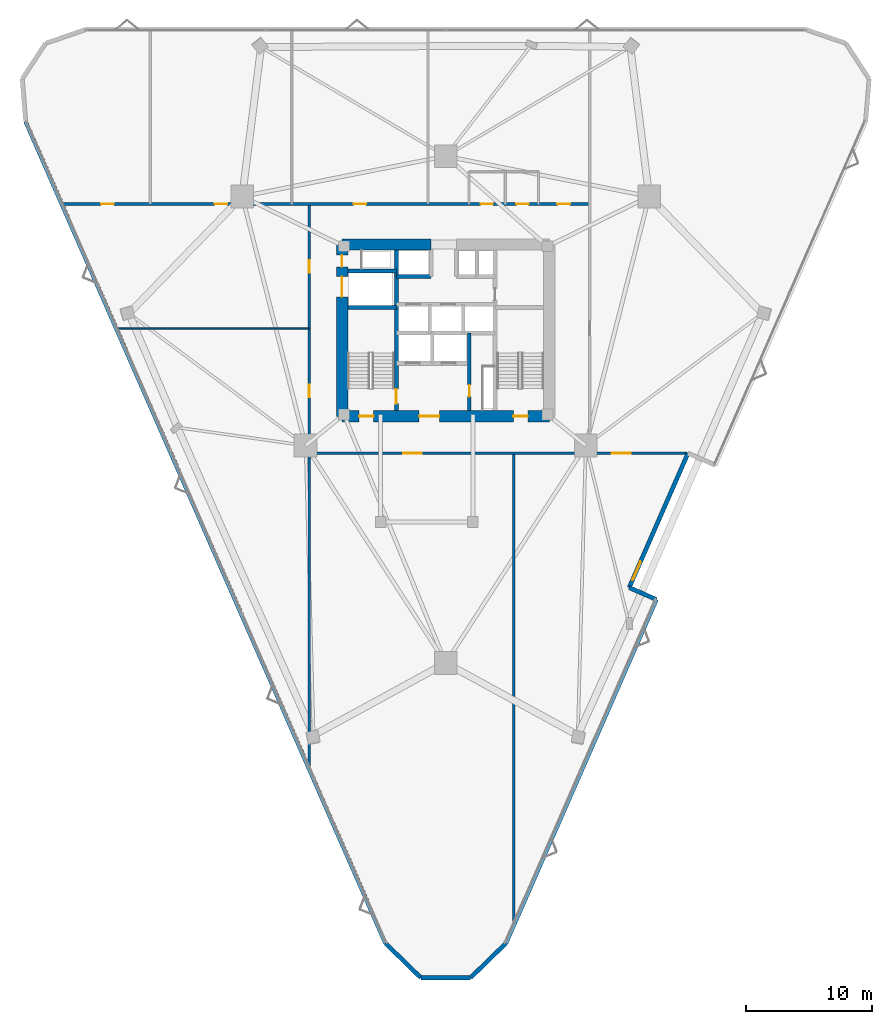
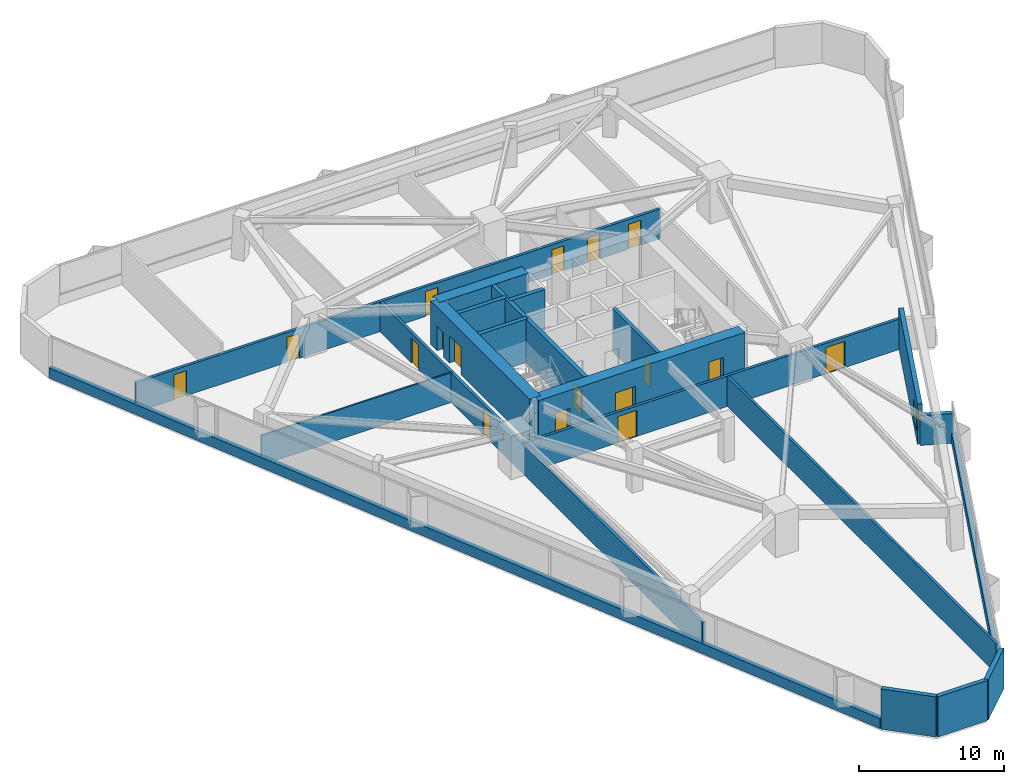
# One storey, part 12 of 14: 20 walls, 17 doors, 1 window, 18 openings.
"""IFC4 building model written with IfcOpenShell, lengths in metres."""

from ifc_helpers import new_model, si_unit, direction, frame, frame_2d, origin, place, context, subcontext, project, spatial, rectangle, extrude, material, layer, layer_set, type_object, element, fill, save


model = new_model("IFC4")

# Units and contexts
model_context = context("Model", 3, precision=1e-05, world=origin(), true_north=direction((0.0, 1.0)))
body_context = subcontext(model_context, "Body", "Model", "MODEL_VIEW")
ifc_project = project(units=[si_unit("LENGTHUNIT", "METRE"), si_unit("AREAUNIT", "SQUARE_METRE"), si_unit("VOLUMEUNIT", "CUBIC_METRE"), si_unit("PLANEANGLEUNIT", "RADIAN"), si_unit("MASSUNIT", "GRAM", prefix="KILO")], contexts=[model_context])

# Site, building, storey
site_placement = place(None, origin())
site = spatial("IfcSite", under=ifc_project, at=site_placement, CompositionType="ELEMENT")
building_placement = place(site_placement, origin())
building = spatial("IfcBuilding", under=site, at=building_placement, Name="Talyreon Biosciences Tower", CompositionType="ELEMENT")
storey_placement = place(building_placement, frame((0.0, 0.0, 52.0)))
storey = spatial("IfcBuildingStorey", under=building, at=storey_placement, Name="L13", CompositionType="ELEMENT", Elevation=52.0)

# Wall
ifc_material_1 = material(Name="Gypsum fireboard acoustic stud", Category="gypsum")
ifc_layer_1 = layer(ifc_material_1, 0.199951171875)
ifc_layer_set_1 = layer_set([ifc_layer_1], Name="Gypsum fireboard acoustic stud")
wall_type_1 = type_object("IfcWallType", Name="ChemControlPartition_200", PredefinedType="PARTITIONING", material=ifc_layer_set_1)
wall_1_placement = place(storey_placement, frame((71.39794921875, 21.1513671875, 0.0), z_axis=(0.0, 0.0, 1.0), x_axis=(0.0, 1.0, 0.0)))
element("IfcWall", 1, at=wall_1_placement, inside=storey, type_object=wall_type_1, Name="L13 Interior Wall IW-L13-SDIV1", PredefinedType="PARTITIONING", context=body_context, shape_type="SweptSolid", body=[
    extrude(rectangle(XDim=37.128662109375, YDim=0.199951171875, at=frame_2d((18.564453125, 0.0))), origin(), (0.0, 0.0, 1.0), 2.5048828125),
])

# Wall, opening, door
ifc_material_2 = material(Name="Concrete C50/60", Category="concrete")
ifc_layer_2 = layer(ifc_material_2, 0.280029296875)
ifc_layer_set_2 = layer_set([ifc_layer_2], Name="Concrete C50/60")
wall_type_2 = type_object("IfcWallType", Name="CoreShearWall_280", PredefinedType="SHEAR", material=ifc_layer_set_2)
wall_2_placement = place(storey_placement, frame((67.8798828125, 61.64990234375, 0.0), z_axis=(0.0, 0.0, 1.0), x_axis=(0.0, 1.0, 0.0)))
wall_2 = element("IfcWall", 2, at=wall_2_placement, inside=storey, type_object=wall_type_2, Name="L13 Core Shaft Wall SWFFE", PredefinedType="SHEAR", context=body_context, shape_type="SweptSolid", body=[
    extrude(rectangle(XDim=6.150146484375, YDim=0.280029296875, at=frame_2d((3.0751953125, 0.0))), origin(), (0.0, 0.0, 1.0), 3.64990234375),
])
opening_1_placement = place(wall_2_placement, frame((1.10009765625, 0.0, 0.0)))
opening_1 = element("IfcOpeningElement", 3, at=opening_1_placement, cuts=wall_2, Name="Opening DR-L13-RSE", PredefinedType="OPENING", context=body_context, shape_type="SweptSolid", body=[
    extrude(rectangle(XDim=0.919921875, YDim=2.050048828125, at=frame_2d((0.4599609375, 1.02490234375))), frame((0.0, 0.14990234375, 0.0), z_axis=(0.0, -1.0, 0.0), x_axis=(1.0, 0.0, 0.0)), (0.0, 0.0, 1.0), 0.300048828125),
])
ifc_material_3 = material(Name="Painted steel fire-rated riser door", Category="steel")
door_type_1 = type_object("IfcDoorType", Name="RiserPlantAccessDoor_920x2050", OperationType="NOTDEFINED", PredefinedType="DOOR", material=ifc_material_3)
door_1_placement = place(opening_1_placement, origin())
door_1 = element("IfcDoor", 4, at=door_1_placement, inside=storey, type_object=door_type_1, Name="L13 Core Door DR-L13-RSE", OperationType="SINGLE_SWING_RIGHT", OverallHeight=2.050048828125, OverallWidth=0.919921875, PredefinedType="DOOR", context=body_context, shape_type="SweptSolid", body=[
    extrude(rectangle(XDim=0.919921875, YDim=2.050048828125, at=frame_2d((0.4599609375, 1.02490234375))), frame((0.0, 0.02490234375, 0.0), z_axis=(0.0, -1.0, 0.0), x_axis=(1.0, 0.0, 0.0)), (0.0, 0.0, 1.0), 0.050048828125),
])
fill(opening_1, door_1)

ifc_layer_3 = layer(ifc_material_2, 0.320068359375)
ifc_layer_set_3 = layer_set([ifc_layer_3], Name="Concrete C50/60")
wall_type_3 = type_object("IfcWallType", Name="CoreShearWall_320", PredefinedType="SHEAR", material=ifc_layer_set_3)
wall_3_placement = place(storey_placement, frame((62.090087890625, 61.64990234375, 0.0), z_axis=(0.0, 0.0, 1.0), x_axis=(0.0, 1.0, 0.0)))
wall_3 = element("IfcWall", 5, at=wall_3_placement, inside=storey, type_object=wall_type_3, Name="L13 Core Shaft Wall SW1E", PredefinedType="SHEAR", context=body_context, shape_type="SweptSolid", body=[
    extrude(rectangle(XDim=12.7001953125, YDim=0.320068359375, at=frame_2d((6.35009765625, 0.0))), origin(), (0.0, 0.0, 1.0), 3.64990234375),
])
opening_2_placement = place(wall_3_placement, frame((0.550048828125, 0.0, 0.0)))
opening_2 = element("IfcOpeningElement", 6, at=opening_2_placement, cuts=wall_3, Name="Opening DR-L13-FF-ST1", PredefinedType="OPENING", context=body_context, shape_type="SweptSolid", body=[
    extrude(rectangle(XDim=1.14990234375, YDim=2.14990234375, at=frame_2d((0.574951171875, 1.074951171875))), frame((0.0, 0.169921875, 0.0), z_axis=(0.0, -1.0, 0.0), x_axis=(1.0, 0.0, 0.0)), (0.0, 0.0, 1.0), 0.340087890625),
])
ifc_material_4 = material(Name="Painted steel fire door", Category="steel")
door_type_2 = type_object("IfcDoorType", Name="StairShaftFireDoor_1150x2150", OperationType="NOTDEFINED", PredefinedType="DOOR", material=ifc_material_4)
door_2_placement = place(opening_2_placement, origin())
door_2 = element("IfcDoor", 7, at=door_2_placement, inside=storey, type_object=door_type_2, Name="L13 Core Door DR-L13-FF-ST1", OperationType="SINGLE_SWING_LEFT", OverallHeight=2.14990234375, OverallWidth=1.14990234375, PredefinedType="DOOR", context=body_context, shape_type="SweptSolid", body=[
    extrude(rectangle(XDim=1.14990234375, YDim=2.14990234375, at=frame_2d((0.574951171875, 1.074951171875))), frame((0.0, 0.02490234375, 0.0), z_axis=(0.0, -1.0, 0.0), x_axis=(1.0, 0.0, 0.0)), (0.0, 0.0, 1.0), 0.050048828125),
])
fill(opening_2, door_2)

# Walls
for number, where, z_axis, x_axis, name in (
    (8, (58.25, 69.81005859375, 0.0), (0.0, 0.0, 1.0), (1.0, 0.0, 0.0), "L13 Core Shaft Wall SW1N"),
    (9, (58.25, 72.699951171875, 0.0), (0.0, 0.0, 1.0), (1.0, 0.0, 0.0), "L13 Core Shaft Wall SWGLN"),
):
    element("IfcWall", number, at=place(storey_placement, frame(where, z_axis=z_axis, x_axis=x_axis)), inside=storey, type_object=wall_type_3, Name=name, PredefinedType="SHEAR", context=body_context, shape_type="SweptSolid", body=[
        extrude(rectangle(XDim=3.840087890625, YDim=0.320068359375, at=frame_2d((1.919921875, 0.0))), origin(), (0.0, 0.0, 1.0), 3.64990234375),
    ])
wall_4_placement = place(storey_placement, frame((62.090087890625, 72.25, 0.0), z_axis=(0.0, 0.0, 1.0), x_axis=(1.0, 0.0, 0.0)))
element("IfcWall", 10, at=wall_4_placement, inside=storey, type_object=wall_type_3, Name="L13 Core Shaft Wall SWNPW", PredefinedType="SHEAR", context=body_context, shape_type="SweptSolid", body=[
    extrude(rectangle(XDim=2.760009765625, YDim=0.320068359375, at=frame_2d((1.3798828125, 0.0))), origin(), (0.0, 0.0, 1.0), 3.64990234375),
])

# Wall, openings, doors
ifc_material_5 = material(Name="Concrete C60/75", Category="concrete")
ifc_layer_4 = layer(ifc_material_5, 0.89990234375)
ifc_layer_set_4 = layer_set([ifc_layer_4], Name="Concrete C60/75")
wall_type_4 = type_object("IfcWallType", Name="CoreShearWall_900", PredefinedType="SHEAR", material=ifc_layer_set_4)
wall_5_placement = place(storey_placement, frame((57.800048828125, 61.199951171875, 0.0), z_axis=(0.0, 0.0, 1.0), x_axis=(1.0, 0.0, 0.0)))
wall_5 = element("IfcWall", 11, at=wall_5_placement, inside=storey, type_object=wall_type_4, Name="L13 Core Shear Wall S", PredefinedType="SHEAR", context=body_context, shape_type="SweptSolid", body=[
    extrude(rectangle(XDim=16.39990234375, YDim=0.89990234375, at=frame_2d((8.199951171875, 0.0))), origin(), (0.0, 0.0, 1.0), 3.64990234375),
])
opening_3_placement = place(wall_5_placement, frame((1.35009765625, 0.0, 0.0)))
opening_3 = element("IfcOpeningElement", 12, at=opening_3_placement, cuts=wall_5, Name="Opening DR-L13-ST1", PredefinedType="OPENING", context=body_context, shape_type="SweptSolid", body=[
    extrude(rectangle(XDim=1.14990234375, YDim=2.14990234375, at=frame_2d((0.574951171875, 1.074951171875))), frame((0.0, 0.4599609375, 0.0), z_axis=(0.0, -1.0, 0.0), x_axis=(1.0, 0.0, 0.0)), (0.0, 0.0, 1.0), 0.919921875),
])
opening_4_placement = place(wall_5_placement, frame((6.10009765625, 0.0, 0.0)))
opening_4 = element("IfcOpeningElement", 13, at=opening_4_placement, cuts=wall_5, Name="Opening DR-L13-FFL", PredefinedType="OPENING", context=body_context, shape_type="SweptSolid", body=[
    extrude(rectangle(XDim=1.60009765625, YDim=2.14990234375, at=frame_2d((0.800048828125, 1.074951171875))), frame((0.0, 0.4599609375, 0.0), z_axis=(0.0, -1.0, 0.0), x_axis=(1.0, 0.0, 0.0)), (0.0, 0.0, 1.0), 0.919921875),
])
opening_5_placement = place(wall_5_placement, frame((13.550048828125, 0.0, 0.0)))
opening_5 = element("IfcOpeningElement", 14, at=opening_5_placement, cuts=wall_5, Name="Opening DR-L13-ST2", PredefinedType="OPENING", context=body_context, shape_type="SweptSolid", body=[
    extrude(rectangle(XDim=1.14990234375, YDim=2.14990234375, at=frame_2d((0.574951171875, 1.074951171875))), frame((0.0, 0.4599609375, 0.0), z_axis=(0.0, -1.0, 0.0), x_axis=(1.0, 0.0, 0.0)), (0.0, 0.0, 1.0), 0.919921875),
])
ifc_material_6 = material(Name="Painted steel smoke-seal fire door", Category="steel")
door_type_3 = type_object("IfcDoorType", Name="FirefightingLobbyDoubleDoor_1600x2150", OperationType="DOUBLE_DOOR_SINGLE_SWING", PredefinedType="DOOR", material=ifc_material_6)
door_3_placement = place(opening_4_placement, origin())
door_3 = element("IfcDoor", 15, at=door_3_placement, inside=storey, type_object=door_type_3, Name="L13 Core Door DR-L13-FFL", OperationType="DOUBLE_DOOR_SINGLE_SWING", OverallHeight=2.14990234375, OverallWidth=1.60009765625, PredefinedType="DOOR", context=body_context, shape_type="SweptSolid", body=[
    extrude(rectangle(XDim=1.60009765625, YDim=2.14990234375, at=frame_2d((0.800048828125, 1.074951171875))), frame((0.0, 0.02490234375, 0.0), z_axis=(0.0, -1.0, 0.0), x_axis=(1.0, 0.0, 0.0)), (0.0, 0.0, 1.0), 0.050048828125),
])
fill(opening_4, door_3)
door_4_placement = place(opening_3_placement, origin())
door_4 = element("IfcDoor", 16, at=door_4_placement, inside=storey, type_object=door_type_2, Name="L13 Core Door DR-L13-ST1", OperationType="SINGLE_SWING_LEFT", OverallHeight=2.14990234375, OverallWidth=1.14990234375, PredefinedType="DOOR", context=body_context, shape_type="SweptSolid", body=[
    extrude(rectangle(XDim=1.14990234375, YDim=2.14990234375, at=frame_2d((0.574951171875, 1.074951171875))), frame((0.0, 0.02490234375, 0.0), z_axis=(0.0, -1.0, 0.0), x_axis=(1.0, 0.0, 0.0)), (0.0, 0.0, 1.0), 0.050048828125),
])
fill(opening_3, door_4)
door_5_placement = place(opening_5_placement, origin())
door_5 = element("IfcDoor", 17, at=door_5_placement, inside=storey, type_object=door_type_2, Name="L13 Core Door DR-L13-ST2", OperationType="SINGLE_SWING_RIGHT", OverallHeight=2.14990234375, OverallWidth=1.14990234375, PredefinedType="DOOR", context=body_context, shape_type="SweptSolid", body=[
    extrude(rectangle(XDim=1.14990234375, YDim=2.14990234375, at=frame_2d((0.574951171875, 1.074951171875))), frame((0.0, 0.02490234375, 0.0), z_axis=(0.0, -1.0, 0.0), x_axis=(1.0, 0.0, 0.0)), (0.0, 0.0, 1.0), 0.050048828125),
])
fill(opening_5, door_5)

# Wall
wall_6_placement = place(storey_placement, frame((64.85009765625, 74.800048828125, 0.0), z_axis=(0.0, 0.0, 1.0), x_axis=(-1.0, 0.0, 0.0)))
element("IfcWall", 18, at=wall_6_placement, inside=storey, type_object=wall_type_4, Name="L13 Core Shear Wall NW", PredefinedType="SHEAR", context=body_context, shape_type="SweptSolid", body=[
    extrude(rectangle(XDim=7.050048828125, YDim=0.89990234375, at=frame_2d((3.52490234375, 0.0))), origin(), (0.0, 0.0, 1.0), 3.64990234375),
])

# Wall, openings, doors
wall_7_placement = place(storey_placement, frame((57.800048828125, 74.800048828125, 0.0), z_axis=(0.0, 0.0, 1.0), x_axis=(0.0, -1.0, 0.0)))
wall_7 = element("IfcWall", 19, at=wall_7_placement, inside=storey, type_object=wall_type_4, Name="L13 Core Shear Wall W", PredefinedType="SHEAR", context=body_context, shape_type="SweptSolid", body=[
    extrude(rectangle(XDim=13.60009765625, YDim=0.89990234375, at=frame_2d((6.800048828125, 0.0))), origin(), (0.0, 0.0, 1.0), 3.64990234375),
])
opening_6_placement = place(wall_7_placement, frame((0.85009765625, 0.0, 0.0)))
opening_6 = element("IfcOpeningElement", 20, at=opening_6_placement, cuts=wall_7, Name="Opening DR-L13-RSW", PredefinedType="OPENING", context=body_context, shape_type="SweptSolid", body=[
    extrude(rectangle(XDim=0.919921875, YDim=2.050048828125, at=frame_2d((0.4599609375, 1.02490234375))), frame((0.0, 0.4599609375, 0.0), z_axis=(0.0, -1.0, 0.0), x_axis=(1.0, 0.0, 0.0)), (0.0, 0.0, 1.0), 0.919921875),
])
opening_7_placement = place(wall_7_placement, frame((2.550048828125, 0.0, 0.0)))
opening_7 = element("IfcOpeningElement", 21, at=opening_7_placement, cuts=wall_7, Name="Opening LD-L13-GL1", PredefinedType="OPENING", context=body_context, shape_type="SweptSolid", body=[
    extrude(rectangle(XDim=1.60009765625, YDim=2.300048828125, at=frame_2d((0.800048828125, 1.14990234375))), frame((0.0, 0.4599609375, 0.0), z_axis=(0.0, -1.0, 0.0), x_axis=(1.0, 0.0, 0.0)), (0.0, 0.0, 1.0), 0.919921875),
])
ifc_material_7 = material(Name="Heavy-duty stainless-steel goods lift door", Category="steel")
door_type_4 = type_object("IfcDoorType", Name="GoodsLiftSlidingDoor_1600x2300", OperationType="DOUBLE_DOOR_SLIDING", PredefinedType="DOOR", material=ifc_material_7)
door_6_placement = place(opening_7_placement, origin())
door_6 = element("IfcDoor", 22, at=door_6_placement, inside=storey, type_object=door_type_4, Name="L13 Core Door LD-L13-GL1", OperationType="DOUBLE_DOOR_SLIDING", OverallHeight=2.300048828125, OverallWidth=1.60009765625, PredefinedType="DOOR", context=body_context, shape_type="SweptSolid", body=[
    extrude(rectangle(XDim=1.60009765625, YDim=2.300048828125, at=frame_2d((0.800048828125, 1.14990234375))), frame((0.0, 0.02490234375, 0.0), z_axis=(0.0, -1.0, 0.0), x_axis=(1.0, 0.0, 0.0)), (0.0, 0.0, 1.0), 0.050048828125),
])
fill(opening_7, door_6)
door_7_placement = place(opening_6_placement, origin())
door_7 = element("IfcDoor", 23, at=door_7_placement, inside=storey, type_object=door_type_1, Name="L13 Core Door DR-L13-RSW", OperationType="SINGLE_SWING_LEFT", OverallHeight=2.050048828125, OverallWidth=0.919921875, PredefinedType="DOOR", context=body_context, shape_type="SweptSolid", body=[
    extrude(rectangle(XDim=0.919921875, YDim=2.050048828125, at=frame_2d((0.4599609375, 1.02490234375))), frame((0.0, 0.02490234375, 0.0), z_axis=(0.0, -1.0, 0.0), x_axis=(1.0, 0.0, 0.0)), (0.0, 0.0, 1.0), 0.050048828125),
])
fill(opening_6, door_7)

ifc_layer_5 = layer(ifc_material_1, 0.219970703125)
ifc_layer_set_5 = layer_set([ifc_layer_5], Name="Gypsum fireboard acoustic stud")
wall_type_5 = type_object("IfcWallType", Name="CorridorRatedPartition_220", PredefinedType="PARTITIONING", material=ifc_layer_set_5)
wall_8_placement = place(storey_placement, frame((35.710205078125, 78.0, 0.0), z_axis=(0.0, 0.0, 1.0), x_axis=(1.0, 0.0, 0.0)))
wall_8 = element("IfcWall", 24, at=wall_8_placement, inside=storey, type_object=wall_type_5, Name="L13 Interior Wall IW-L13-COR-N", PredefinedType="PARTITIONING", context=body_context, shape_type="SweptSolid", body=[
    extrude(rectangle(XDim=41.689697265625, YDim=0.219970703125, at=frame_2d((20.8447265625, 0.0))), origin(), (0.0, 0.0, 1.0), 2.5048828125),
])
opening_8_placement = place(wall_8_placement, frame((33.050048828125, 0.0, 0.0)))
opening_8 = element("IfcOpeningElement", 25, at=opening_8_placement, cuts=wall_8, Name="Opening DR-L13-WC", PredefinedType="OPENING", context=body_context, shape_type="SweptSolid", body=[
    extrude(rectangle(XDim=0.97998046875, YDim=2.10009765625, at=frame_2d((0.489990234375, 1.050048828125))), frame((0.0, 0.119873046875, 0.0), z_axis=(0.0, -1.0, 0.0), x_axis=(1.0, 0.0, 0.0)), (0.0, 0.0, 1.0), 0.239990234375),
])
opening_9_placement = place(wall_8_placement, frame((35.875, 0.0, 0.0)))
opening_9 = element("IfcOpeningElement", 26, at=opening_9_placement, cuts=wall_8, Name="Opening DR-L13-AWC", PredefinedType="OPENING", context=body_context, shape_type="SweptSolid", body=[
    extrude(rectangle(XDim=0.97998046875, YDim=2.10009765625, at=frame_2d((0.489990234375, 1.050048828125))), frame((0.0, 0.119873046875, 0.0), z_axis=(0.0, -1.0, 0.0), x_axis=(1.0, 0.0, 0.0)), (0.0, 0.0, 1.0), 0.239990234375),
])
opening_10_placement = place(wall_8_placement, frame((3.028076171875, 0.0, 0.0)))
opening_10 = element("IfcOpeningElement", 27, at=opening_10_placement, cuts=wall_8, Name="Opening DR-L13-N1A", PredefinedType="OPENING", context=body_context, shape_type="SweptSolid", body=[
    extrude(rectangle(XDim=1.0, YDim=2.10009765625, at=frame_2d((0.5, 1.050048828125))), frame((0.0, 0.119873046875, 0.0), z_axis=(0.0, -1.0, 0.0), x_axis=(1.0, 0.0, 0.0)), (0.0, 0.0, 1.0), 0.239990234375),
])
opening_11_placement = place(wall_8_placement, frame((12.00390625, 0.0, 0.0)))
opening_11 = element("IfcOpeningElement", 28, at=opening_11_placement, cuts=wall_8, Name="Opening DR-L13-N2A", PredefinedType="OPENING", context=body_context, shape_type="SweptSolid", body=[
    extrude(rectangle(XDim=1.0, YDim=2.10009765625, at=frame_2d((0.5, 1.050048828125))), frame((0.0, 0.119873046875, 0.0), z_axis=(0.0, -1.0, 0.0), x_axis=(1.0, 0.0, 0.0)), (0.0, 0.0, 1.0), 0.239990234375),
])
opening_12_placement = place(wall_8_placement, frame((22.9951171875, 0.0, 0.0)))
opening_12 = element("IfcOpeningElement", 29, at=opening_12_placement, cuts=wall_8, Name="Opening DR-L13-N3A", PredefinedType="OPENING", context=body_context, shape_type="SweptSolid", body=[
    extrude(rectangle(XDim=1.0, YDim=2.10009765625, at=frame_2d((0.5, 1.050048828125))), frame((0.0, 0.119873046875, 0.0), z_axis=(0.0, -1.0, 0.0), x_axis=(1.0, 0.0, 0.0)), (0.0, 0.0, 1.0), 0.239990234375),
])
opening_13_placement = place(wall_8_placement, frame((39.1298828125, 0.0, 0.0)))
opening_13 = element("IfcOpeningElement", 30, at=opening_13_placement, cuts=wall_8, Name="Opening DR-L13-N4A", PredefinedType="OPENING", context=body_context, shape_type="SweptSolid", body=[
    extrude(rectangle(XDim=1.0, YDim=2.10009765625, at=frame_2d((0.5, 1.050048828125))), frame((0.0, 0.119873046875, 0.0), z_axis=(0.0, -1.0, 0.0), x_axis=(1.0, 0.0, 0.0)), (0.0, 0.0, 1.0), 0.239990234375),
])
ifc_material_8 = material(Name="Laminate moisture-resistant door", Category="wood")
door_type_5 = type_object("IfcDoorType", Name="AccessibleToiletDoor_980x2100", OperationType="NOTDEFINED", PredefinedType="DOOR", material=ifc_material_8)
door_8_placement = place(opening_8_placement, origin())
door_8 = element("IfcDoor", 31, at=door_8_placement, inside=storey, type_object=door_type_5, Name="L13 Interior Door DR-L13-WC", OperationType="SINGLE_SWING_RIGHT", OverallHeight=2.10009765625, OverallWidth=0.97998046875, PredefinedType="DOOR", context=body_context, shape_type="SweptSolid", body=[
    extrude(rectangle(XDim=0.97998046875, YDim=2.10009765625, at=frame_2d((0.489990234375, 1.050048828125))), frame((0.0, 0.02490234375, 0.0), z_axis=(0.0, -1.0, 0.0), x_axis=(1.0, 0.0, 0.0)), (0.0, 0.0, 1.0), 0.050048828125),
])
fill(opening_8, door_8)
door_9_placement = place(opening_9_placement, origin())
door_9 = element("IfcDoor", 32, at=door_9_placement, inside=storey, type_object=door_type_5, Name="L13 Interior Door DR-L13-AWC", OperationType="SINGLE_SWING_RIGHT", OverallHeight=2.10009765625, OverallWidth=0.97998046875, PredefinedType="DOOR", context=body_context, shape_type="SweptSolid", body=[
    extrude(rectangle(XDim=0.97998046875, YDim=2.10009765625, at=frame_2d((0.489990234375, 1.050048828125))), frame((0.0, 0.02490234375, 0.0), z_axis=(0.0, -1.0, 0.0), x_axis=(1.0, 0.0, 0.0)), (0.0, 0.0, 1.0), 0.050048828125),
])
fill(opening_9, door_9)
ifc_material_9 = material(Name="Acoustic oak veneer office door", Category="wood")
door_type_6 = type_object("IfcDoorType", Name="WriteupOfficeDoor_1000x2100", OperationType="NOTDEFINED", PredefinedType="DOOR", material=ifc_material_9)
door_10_placement = place(opening_10_placement, origin())
door_10 = element("IfcDoor", 33, at=door_10_placement, inside=storey, type_object=door_type_6, Name="L13 Interior Door DR-L13-N1A", OperationType="SINGLE_SWING_RIGHT", OverallHeight=2.10009765625, OverallWidth=1.0, PredefinedType="DOOR", context=body_context, shape_type="SweptSolid", body=[
    extrude(rectangle(XDim=1.0, YDim=2.10009765625, at=frame_2d((0.5, 1.050048828125))), frame((0.0, 0.02490234375, 0.0), z_axis=(0.0, -1.0, 0.0), x_axis=(1.0, 0.0, 0.0)), (0.0, 0.0, 1.0), 0.050048828125),
])
fill(opening_10, door_10)
door_11_placement = place(opening_11_placement, origin())
door_11 = element("IfcDoor", 34, at=door_11_placement, inside=storey, type_object=door_type_6, Name="L13 Interior Door DR-L13-N2A", OperationType="SINGLE_SWING_LEFT", OverallHeight=2.10009765625, OverallWidth=1.0, PredefinedType="DOOR", context=body_context, shape_type="SweptSolid", body=[
    extrude(rectangle(XDim=1.0, YDim=2.10009765625, at=frame_2d((0.5, 1.050048828125))), frame((0.0, 0.02490234375, 0.0), z_axis=(0.0, -1.0, 0.0), x_axis=(1.0, 0.0, 0.0)), (0.0, 0.0, 1.0), 0.050048828125),
])
fill(opening_11, door_11)
door_12_placement = place(opening_12_placement, origin())
door_12 = element("IfcDoor", 35, at=door_12_placement, inside=storey, type_object=door_type_6, Name="L13 Interior Door DR-L13-N3A", OperationType="SINGLE_SWING_RIGHT", OverallHeight=2.10009765625, OverallWidth=1.0, PredefinedType="DOOR", context=body_context, shape_type="SweptSolid", body=[
    extrude(rectangle(XDim=1.0, YDim=2.10009765625, at=frame_2d((0.5, 1.050048828125))), frame((0.0, 0.02490234375, 0.0), z_axis=(0.0, -1.0, 0.0), x_axis=(1.0, 0.0, 0.0)), (0.0, 0.0, 1.0), 0.050048828125),
])
fill(opening_12, door_12)
door_13_placement = place(opening_13_placement, origin())
door_13 = element("IfcDoor", 36, at=door_13_placement, inside=storey, type_object=door_type_6, Name="L13 Interior Door DR-L13-N4A", OperationType="SINGLE_SWING_LEFT", OverallHeight=2.10009765625, OverallWidth=1.0, PredefinedType="DOOR", context=body_context, shape_type="SweptSolid", body=[
    extrude(rectangle(XDim=1.0, YDim=2.10009765625, at=frame_2d((0.5, 1.050048828125))), frame((0.0, 0.02490234375, 0.0), z_axis=(0.0, -1.0, 0.0), x_axis=(1.0, 0.0, 0.0)), (0.0, 0.0, 1.0), 0.050048828125),
])
fill(opening_13, door_13)

wall_9_placement = place(storey_placement, frame((55.199951171875, 58.280029296875, 0.0), z_axis=(0.0, 0.0, 1.0), x_axis=(1.0, 0.0, 0.0)))
wall_9 = element("IfcWall", 37, at=wall_9_placement, inside=storey, type_object=wall_type_5, Name="L13 Interior Wall IW-L13-COR-S", PredefinedType="PARTITIONING", context=body_context, shape_type="SweptSolid", body=[
    extrude(rectangle(XDim=29.889892578125, YDim=0.219970703125, at=frame_2d((14.94482421875, 0.0))), origin(), (0.0, 0.0, 1.0), 2.554931640625),
])
opening_14_placement = place(wall_9_placement, frame((7.424072265625, 0.0, 0.0)))
opening_14 = element("IfcOpeningElement", 38, at=opening_14_placement, cuts=wall_9, Name="Opening DR-L13-S1A", PredefinedType="OPENING", context=body_context, shape_type="SweptSolid", body=[
    extrude(rectangle(XDim=1.5, YDim=2.199951171875, at=frame_2d((0.75, 1.10009765625))), frame((0.0, 0.119873046875, 0.0), z_axis=(0.0, -1.0, 0.0), x_axis=(1.0, 0.0, 0.0)), (0.0, 0.0, 1.0), 0.239990234375),
])
opening_15_placement = place(wall_9_placement, frame((23.944091796875, 0.0, 0.0)))
opening_15 = element("IfcOpeningElement", 39, at=opening_15_placement, cuts=wall_9, Name="Opening DR-L13-S2A", PredefinedType="OPENING", context=body_context, shape_type="SweptSolid", body=[
    extrude(rectangle(XDim=1.5, YDim=2.199951171875, at=frame_2d((0.75, 1.10009765625))), frame((0.0, 0.119873046875, 0.0), z_axis=(0.0, -1.0, 0.0), x_axis=(1.0, 0.0, 0.0)), (0.0, 0.0, 1.0), 0.239990234375),
])
ifc_material_10 = material(Name="Vision-panel steel laboratory fire door", Category="steel")
door_type_7 = type_object("IfcDoorType", Name="WetLabDoubleLeafDoor_1500x2200", OperationType="DOUBLE_DOOR_SINGLE_SWING", PredefinedType="DOOR", material=ifc_material_10)
door_14_placement = place(opening_14_placement, origin())
door_14 = element("IfcDoor", 40, at=door_14_placement, inside=storey, type_object=door_type_7, Name="L13 Interior Door DR-L13-S1A", OperationType="DOUBLE_DOOR_SINGLE_SWING", OverallHeight=2.199951171875, OverallWidth=1.5, PredefinedType="DOOR", context=body_context, shape_type="SweptSolid", body=[
    extrude(rectangle(XDim=1.5, YDim=2.199951171875, at=frame_2d((0.75, 1.10009765625))), frame((0.0, 0.02490234375, 0.0), z_axis=(0.0, -1.0, 0.0), x_axis=(1.0, 0.0, 0.0)), (0.0, 0.0, 1.0), 0.050048828125),
])
fill(opening_14, door_14)
door_15_placement = place(opening_15_placement, origin())
door_15 = element("IfcDoor", 41, at=door_15_placement, inside=storey, type_object=door_type_7, Name="L13 Interior Door DR-L13-S2A", OperationType="DOUBLE_DOOR_SINGLE_SWING", OverallHeight=2.199951171875, OverallWidth=1.5, PredefinedType="DOOR", context=body_context, shape_type="SweptSolid", body=[
    extrude(rectangle(XDim=1.5, YDim=2.199951171875, at=frame_2d((0.75, 1.10009765625))), frame((0.0, 0.02490234375, 0.0), z_axis=(0.0, -1.0, 0.0), x_axis=(1.0, 0.0, 0.0)), (0.0, 0.0, 1.0), 0.050048828125),
])
fill(opening_15, door_15)

wall_10_placement = place(storey_placement, frame((55.199951171875, 33.488525390625, 0.0), z_axis=(0.0, 0.0, 1.0), x_axis=(0.0, 1.0, 0.0)))
wall_10 = element("IfcWall", 42, at=wall_10_placement, inside=storey, type_object=wall_type_5, Name="L13 Interior Wall IW-L13-COR-W", PredefinedType="PARTITIONING", context=body_context, shape_type="SweptSolid", body=[
    extrude(rectangle(XDim=44.511474609375, YDim=0.219970703125, at=frame_2d((22.255859375, 0.0))), origin(), (0.0, 0.0, 1.0), 2.5048828125),
])
opening_16_placement = place(wall_10_placement, frame((29.220947265625, 0.0, 0.0)))
opening_16 = element("IfcOpeningElement", 43, at=opening_16_placement, cuts=wall_10, Name="Opening DR-L13-W1A", PredefinedType="OPENING", context=body_context, shape_type="SweptSolid", body=[
    extrude(rectangle(XDim=1.0, YDim=2.10009765625, at=frame_2d((0.5, 1.050048828125))), frame((0.0, 0.119873046875, 0.0), z_axis=(0.0, -1.0, 0.0), x_axis=(1.0, 0.0, 0.0)), (0.0, 0.0, 1.0), 0.239990234375),
])
opening_17_placement = place(wall_10_placement, frame((39.0810546875, 0.0, 0.0)))
opening_17 = element("IfcOpeningElement", 44, at=opening_17_placement, cuts=wall_10, Name="Opening DR-L13-W2A", PredefinedType="OPENING", context=body_context, shape_type="SweptSolid", body=[
    extrude(rectangle(XDim=1.0, YDim=2.10009765625, at=frame_2d((0.5, 1.050048828125))), frame((0.0, 0.119873046875, 0.0), z_axis=(0.0, -1.0, 0.0), x_axis=(1.0, 0.0, 0.0)), (0.0, 0.0, 1.0), 0.239990234375),
])
door_16_placement = place(opening_16_placement, origin())
door_16 = element("IfcDoor", 45, at=door_16_placement, inside=storey, type_object=door_type_6, Name="L13 Interior Door DR-L13-W1A", OperationType="SINGLE_SWING_RIGHT", OverallHeight=2.10009765625, OverallWidth=1.0, PredefinedType="DOOR", context=body_context, shape_type="SweptSolid", body=[
    extrude(rectangle(XDim=1.0, YDim=2.10009765625, at=frame_2d((0.5, 1.050048828125))), frame((0.0, 0.02490234375, 0.0), z_axis=(0.0, -1.0, 0.0), x_axis=(1.0, 0.0, 0.0)), (0.0, 0.0, 1.0), 0.050048828125),
])
fill(opening_16, door_16)
door_17_placement = place(opening_17_placement, origin())
door_17 = element("IfcDoor", 46, at=door_17_placement, inside=storey, type_object=door_type_6, Name="L13 Interior Door DR-L13-W2A", OperationType="SINGLE_SWING_LEFT", OverallHeight=2.10009765625, OverallWidth=1.0, PredefinedType="DOOR", context=body_context, shape_type="SweptSolid", body=[
    extrude(rectangle(XDim=1.0, YDim=2.10009765625, at=frame_2d((0.5, 1.050048828125))), frame((0.0, 0.02490234375, 0.0), z_axis=(0.0, -1.0, 0.0), x_axis=(1.0, 0.0, 0.0)), (0.0, 0.0, 1.0), 0.050048828125),
])
fill(opening_17, door_17)

# Wall
ifc_material_11 = material(Name="Gypsum acoustic stud partition", Category="gypsum")
ifc_layer_6 = layer(ifc_material_11, 0.1298828125)
ifc_layer_set_6 = layer_set([ifc_layer_6], Name="Gypsum acoustic stud partition")
wall_type_6 = type_object("IfcWallType", Name="OfficeWriteupPartition_130", PredefinedType="PARTITIONING", material=ifc_layer_set_6)
wall_11_placement = place(storey_placement, frame((40.02734375, 68.139892578125, 0.0), z_axis=(0.0, 0.0, 1.0), x_axis=(1.0, 0.0, 0.0)))
element("IfcWall", 47, at=wall_11_placement, inside=storey, type_object=wall_type_6, Name="L13 Interior Wall IW-L13-WDIV1", PredefinedType="PARTITIONING", context=body_context, shape_type="SweptSolid", body=[
    extrude(rectangle(XDim=15.172607421875, YDim=0.1298828125, at=frame_2d((7.58642578125, 0.0))), origin(), (0.0, 0.0, 1.0), 2.5048828125),
])

# Wall, opening, window
ifc_material_12 = material(Name="Precast concrete C45/55", Category="concrete")
ifc_layer_7 = layer(ifc_material_12, 0.340087890625)
ifc_layer_set_7 = layer_set([ifc_layer_7], Name="Precast concrete C45/55")
wall_type_7 = type_object("IfcWallType", Name="PrecastConcreteSpandrelWall_340", PredefinedType="STANDARD", material=ifc_layer_set_7)
wall_12_placement = place(storey_placement, frame((85.177490234375, 58.26806640625, 0.0), z_axis=(0.0, 0.0, 1.0), x_axis=(-0.401105876005, -0.916031700453, 0.0)))
wall_12 = element("IfcWall", 48, at=wall_12_placement, inside=storey, type_object=wall_type_7, Name="L13 Terrace Backing Concrete Wall 09", PredefinedType="STANDARD", context=body_context, shape_type="SweptSolid", body=[
    extrude(rectangle(XDim=11.60009765625, YDim=0.340087890625, at=frame_2d((5.800048828125, 0.0))), origin(), (0.0, 0.0, 1.0), 3.375),
])
opening_18_placement = place(wall_12_placement, frame((9.35009765625, 0.0, 0.699951171875)))
opening_18 = element("IfcOpeningElement", 49, at=opening_18_placement, cuts=wall_12, Name="Opening W06", PredefinedType="OPENING", context=body_context, shape_type="SweptSolid", body=[
    extrude(rectangle(XDim=1.60009765625, YDim=1.5, at=frame_2d((0.800048828125, 0.75))), frame((0.0, 0.179931640625, 0.0), z_axis=(0.0, -1.0, 0.0), x_axis=(1.0, 0.0, 0.0)), (0.0, 0.0, 1.0), 0.360107421875),
])
ifc_material_13 = material(Name="Thermally broken triple low-E aluminium window", Category="aluminium")
window_type = type_object("IfcWindowType", Name="CrownLouvredWindow_1600x1500", PartitioningType="SINGLE_PANEL", PredefinedType="WINDOW", material=ifc_material_13)
window_placement = place(opening_18_placement, origin())
window = element("IfcWindow", 50, at=window_placement, inside=storey, type_object=window_type, Name="L13 Sky-Garden Loggia Window 09", OverallHeight=1.5, OverallWidth=1.60009765625, PartitioningType="SINGLE_PANEL", PredefinedType="WINDOW", context=body_context, shape_type="SweptSolid", body=[
    extrude(rectangle(XDim=1.60009765625, YDim=1.5, at=frame_2d((0.800048828125, 0.75))), frame((0.0, 0.030029296875, 0.0), z_axis=(0.0, -1.0, 0.0), x_axis=(1.0, 0.0, 0.0)), (0.0, 0.0, 1.0), 0.06005859375),
])
fill(opening_18, window)

# Walls
wall_13_placement = place(storey_placement, frame((80.524658203125, 47.64208984375, 0.0), z_axis=(0.0, 0.0, 1.0), x_axis=(0.916076250182, -0.401004119495, 0.0)))
element("IfcWall", 51, at=wall_13_placement, inside=storey, type_object=wall_type_7, Name="L13 Terrace Backing Concrete Wall 10", PredefinedType="STANDARD", context=body_context, shape_type="SweptSolid", body=[
    extrude(rectangle(XDim=2.35009765625, YDim=0.340087890625, at=frame_2d((1.175048828125, 0.0))), origin(), (0.0, 0.0, 1.0), 2.5048828125),
])
wall_14_placement = place(storey_placement, frame((82.677490234375, 46.69970703125, 0.0), z_axis=(0.0, 0.0, 1.0), x_axis=(-0.401096058092, -0.916035999393, 0.0)))
element("IfcWall", 52, at=wall_14_placement, inside=storey, type_object=wall_type_7, Name="L13 Expressed Concrete Sill Wall 11", PredefinedType="STANDARD", context=body_context, shape_type="SweptSolid", body=[
    extrude(rectangle(XDim=29.703857421875, YDim=0.340087890625, at=frame_2d((14.85205078125, 0.0))), origin(), (0.0, 0.0, 1.0), 0.85009765625),
])
wall_15_placement = place(storey_placement, frame((70.763427734375, 19.489990234375, 0.0), z_axis=(0.0, 0.0, 1.0), x_axis=(-0.716458886532, -0.697629316979, 0.0)))
element("IfcWall", 53, at=wall_15_placement, inside=storey, type_object=wall_type_7, Name="L13 Rounded-Corner Concrete Pier 12", PredefinedType="STANDARD", context=body_context, shape_type="SweptSolid", body=[
    extrude(rectangle(XDim=3.915771484375, YDim=0.340087890625, at=frame_2d((1.9580078125, 0.0))), origin(), (0.0, 0.0, 1.0), 3.375),
])
wall_16_placement = place(storey_placement, frame((67.9580078125, 16.75830078125, 0.0), z_axis=(0.0, 0.0, 1.0), x_axis=(-1.0, 0.0, 0.0)))
element("IfcWall", 54, at=wall_16_placement, inside=storey, type_object=wall_type_7, Name="L13 Rounded-Corner Concrete Pier 13", PredefinedType="STANDARD", context=body_context, shape_type="SweptSolid", body=[
    extrude(rectangle(XDim=3.916015625, YDim=0.340087890625, at=frame_2d((1.9580078125, 0.0))), origin(), (0.0, 0.0, 1.0), 3.375),
])
wall_17_placement = place(storey_placement, frame((64.0419921875, 16.75830078125, 0.0), z_axis=(0.0, 0.0, 1.0), x_axis=(-0.716458886532, 0.697629316979, 0.0)))
element("IfcWall", 55, at=wall_17_placement, inside=storey, type_object=wall_type_7, Name="L13 Rounded-Corner Concrete Pier 14", PredefinedType="STANDARD", context=body_context, shape_type="SweptSolid", body=[
    extrude(rectangle(XDim=3.915771484375, YDim=0.340087890625, at=frame_2d((1.9580078125, 0.0))), origin(), (0.0, 0.0, 1.0), 3.375),
])
wall_18_placement = place(storey_placement, frame((61.236572265625, 19.489990234375, 0.0), z_axis=(0.0, 0.0, 1.0), x_axis=(-0.401097303432, 0.916035454106, 0.0)))
element("IfcWall", 56, at=wall_18_placement, inside=storey, type_object=wall_type_7, Name="L13 Expressed Concrete Sill Wall 15", PredefinedType="STANDARD", context=body_context, shape_type="SweptSolid", body=[
    extrude(rectangle(XDim=71.007080078125, YDim=0.340087890625, at=frame_2d((35.50341796875, 0.0))), origin(), (0.0, 0.0, 1.0), 0.85009765625),
])

save(model, "model.ifc")
